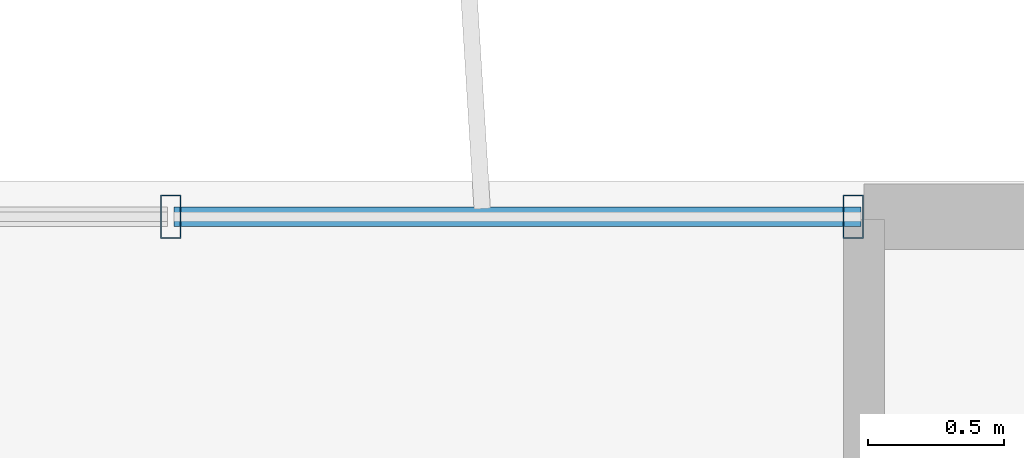
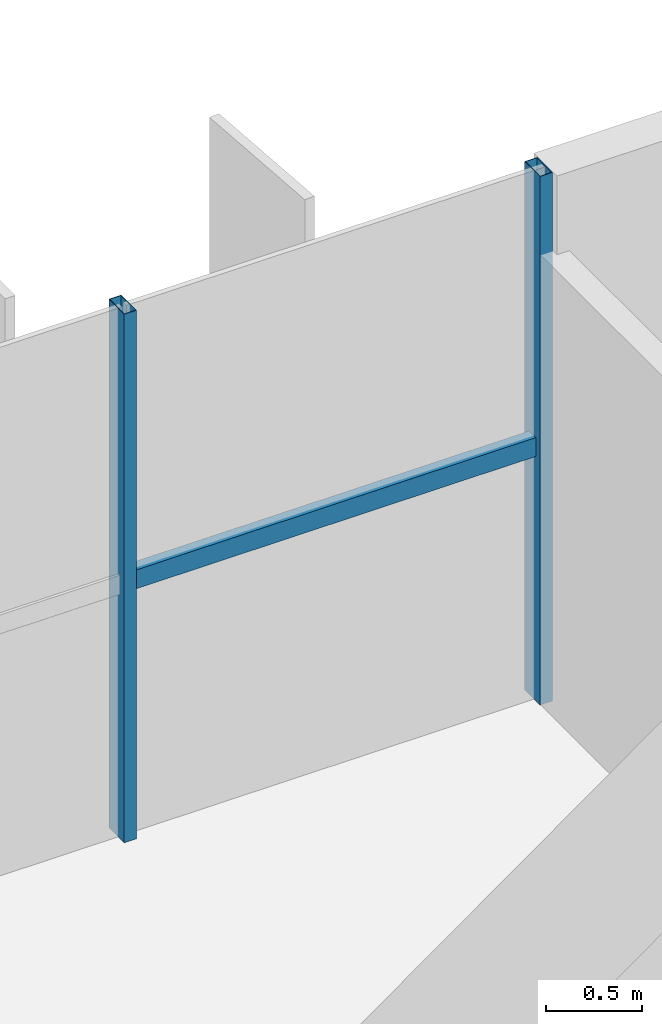
# One storey, part 14 of 23: 3 members, 1 element without a shape of its own.
"""IFC4 building model written with IfcOpenShell, lengths in metres."""

from ifc_helpers import new_model, si_unit, direction, frame, origin, origin_2d, place, context, subcontext, project, spatial, hollow_rectangle, extrude, source, transform, mapped, material, material_profile, profile_set, type_object, element, aggregate, save


model = new_model("IFC4")

# Units and contexts
model_context = context("Model", 3, precision=1e-05, world=origin(), true_north=direction((0.0, 1.0)))
body_context = subcontext(model_context, "Body", "Model", "MODEL_VIEW")
ifc_project = project(units=[si_unit("LENGTHUNIT", "METRE"), si_unit("AREAUNIT", "SQUARE_METRE"), si_unit("VOLUMEUNIT", "CUBIC_METRE"), si_unit("PLANEANGLEUNIT", "RADIAN"), si_unit("MASSUNIT", "GRAM", prefix="KILO")], contexts=[model_context])

# Site, building, storey
site_placement = place(None, origin())
site = spatial("IfcSite", under=ifc_project, at=site_placement, CompositionType="ELEMENT")
building_placement = place(site_placement, origin())
building = spatial("IfcBuilding", under=site, at=building_placement, Name="Trelvane Seafront Commons", CompositionType="ELEMENT")
storey_placement = place(building_placement, frame((0.0, 0.0, 190.5)))
storey = spatial("IfcBuildingStorey", under=building, at=storey_placement, Name="L49", CompositionType="ELEMENT", Elevation=190.5)

# Curtain wall, members
ifc_material = material(Name="Anodised pale-silver aluminium", Category="aluminium")
curtain_wall_type = type_object("IfcCurtainWallType", Name="ARCH-CW5-UPTOWER", PredefinedType="NOTDEFINED", material=ifc_material)
curtain_wall_placement = place(storey_placement, origin())
curtain_wall = element("IfcCurtainWall", 1, at=curtain_wall_placement, inside=storey, type_object=curtain_wall_type, Name="CW-L49-0077", PredefinedType="NOTDEFINED")
ifc_material_profile_1 = material_profile(ifc_material, hollow_rectangle(XDim=0.070068359375, YDim=0.1201171875, WallThickness=0.00390625, at=origin_2d()), Name="TRAN-70x120x4")
ifc_profile_set_1 = profile_set([ifc_material_profile_1], Name="Anodised pale-silver aluminium")
member_type_1 = type_object("IfcMemberType", Name="ARCH-CW-TRAN-120", PredefinedType="USERDEFINED", material=ifc_profile_set_1)
shared_shape_1 = source(origin(), body_context, "Body", "SweptSolid", [
    extrude(hollow_rectangle(XDim=0.070068359375, YDim=0.1201171875, WallThickness=0.00390625, at=origin_2d()), origin(), (0.0, 0.0, 1.0), 2.517333984375),
])
member_1_placement = place(storey_placement, frame((56.270751953125, 48.3701171875, 1.613037109375), z_axis=(1.0, 0.0, 0.0), x_axis=(0.0, 1.0, 0.0)))
member_1 = element("IfcMember", 2, at=member_1_placement, type_object=member_type_1, Name="CW-L49-0077-T16", ObjectType="TRANSOM", PredefinedType="USERDEFINED", context=body_context, shape_type="MappedRepresentation", body=[
    mapped(shared_shape_1, transform((0.0, 0.0, 0.0), x_axis=(1.0, 0.0, 0.0), y_axis=(0.0, 1.0, 0.0), z_axis=(0.0, 0.0, 1.0), scale=1.0)),
])
ifc_material_profile_2 = material_profile(ifc_material, hollow_rectangle(XDim=0.074951171875, YDim=0.159912109375, WallThickness=0.00390625, at=origin_2d()), Name="MULL-75x160x4")
ifc_profile_set_2 = profile_set([ifc_material_profile_2], Name="Anodised pale-silver aluminium")
member_type_2 = type_object("IfcMemberType", Name="ARCH-CW-MULL-160", PredefinedType="MULLION", material=ifc_profile_set_2)
shared_shape_2 = source(origin(), body_context, "Body", "SweptSolid", [
    extrude(hollow_rectangle(XDim=0.074951171875, YDim=0.159912109375, WallThickness=0.00390625, at=origin_2d()), origin(), (0.0, 0.0, 1.0), 3.360107421875),
])
member_2_placement = place(storey_placement, frame((56.2587890625, 48.3701171875, 0.0), z_axis=(0.0, 0.0, 1.0), x_axis=(1.0, 0.0, 0.0)))
member_2 = element("IfcMember", 3, at=member_2_placement, type_object=member_type_2, Name="CW-L49-0077-M16", PredefinedType="MULLION", context=body_context, shape_type="MappedRepresentation", body=[
    mapped(shared_shape_2, transform((0.0, 0.0, 0.0), x_axis=(1.0, 0.0, 0.0), y_axis=(0.0, 1.0, 0.0), z_axis=(0.0, 0.0, 1.0), scale=1.0)),
])
member_3_placement = place(storey_placement, frame((58.760009765625, 48.3701171875, 0.0), z_axis=(0.0, 0.0, 1.0), x_axis=(1.0, 0.0, 0.0)))
member_3 = element("IfcMember", 4, at=member_3_placement, type_object=member_type_2, Name="CW-L49-0077-M17", PredefinedType="MULLION", context=body_context, shape_type="MappedRepresentation", body=[
    mapped(shared_shape_2, transform((0.0, 0.0, 0.0), x_axis=(1.0, 0.0, 0.0), y_axis=(0.0, 1.0, 0.0), z_axis=(0.0, 0.0, 1.0), scale=1.0)),
])
aggregate(curtain_wall, [member_2, member_3, member_1])

save(model, "model.ifc")
